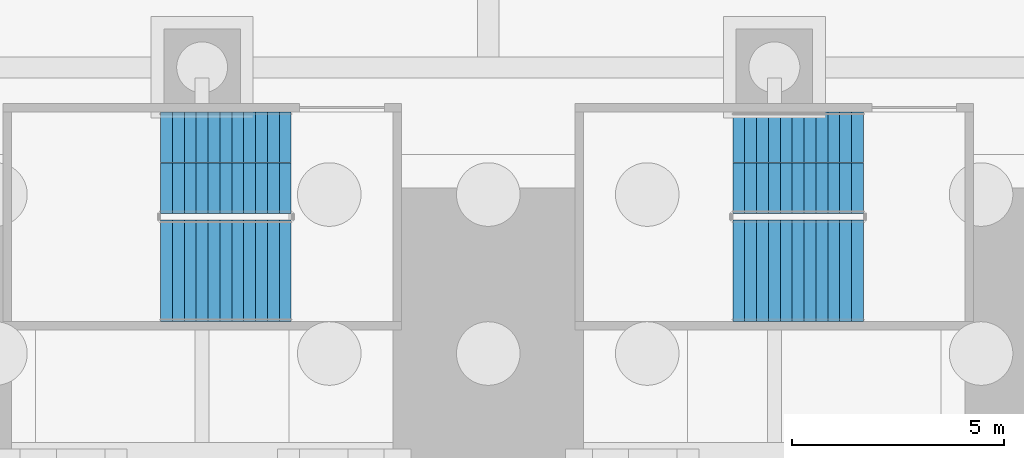
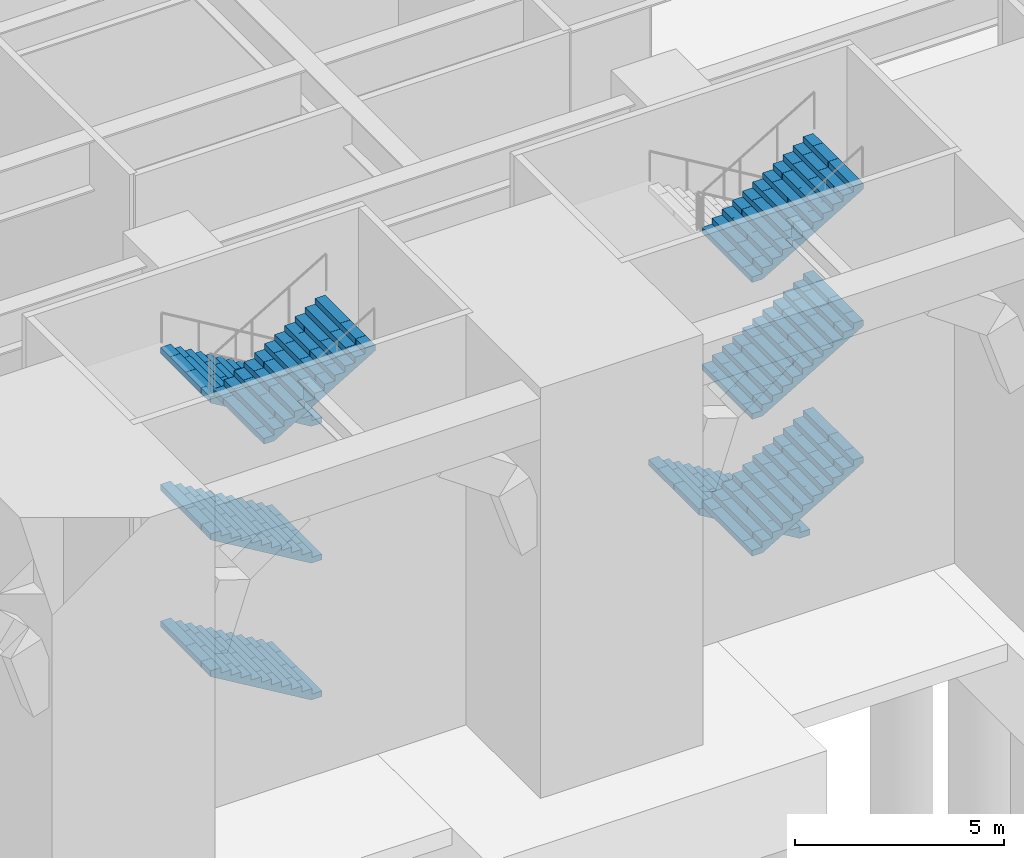
# One storey, part 15 of 34: 8 stair flights, 2 elements without a shape of their own.
"""IFC4 building model written with IfcOpenShell, lengths in metres."""

from ifc_helpers import new_model, si_unit, direction, frame, origin, place, context, subcontext, project, spatial, polyline, outline, extrude, material, type_object, element, aggregate, save


model = new_model("IFC4")

# Units and contexts
model_context = context("Model", 3, precision=1e-05, world=origin(), true_north=direction((0.0, 1.0)))
body_context = subcontext(model_context, "Body", "Model", "MODEL_VIEW")
ifc_project = project(units=[si_unit("LENGTHUNIT", "METRE"), si_unit("AREAUNIT", "SQUARE_METRE"), si_unit("VOLUMEUNIT", "CUBIC_METRE"), si_unit("PLANEANGLEUNIT", "RADIAN"), si_unit("MASSUNIT", "GRAM", prefix="KILO")], contexts=[model_context])

# Site, building, storey
site_placement = place(None, origin())
site = spatial("IfcSite", under=ifc_project, at=site_placement, CompositionType="ELEMENT")
building_placement = place(site_placement, origin())
building = spatial("IfcBuilding", under=site, at=building_placement, Name="Corbelhall Arena Tower", CompositionType="ELEMENT")
storey_placement = place(building_placement, origin())
storey = spatial("IfcBuildingStorey", under=building, at=storey_placement, Name="L00", CompositionType="ELEMENT", Elevation=0.0)

# Stair, stair flights
ifc_material = material(Name="Reinforced concrete C40/50", Category="concrete")
stair_type = type_object("IfcStairType", Name="AR-EXIT-STAIR", PredefinedType="HALF_TURN_STAIR", material=ifc_material)
stair_1_placement = place(storey_placement, origin())
stair_1 = element("IfcStair", 1, at=stair_1_placement, inside=storey, type_object=stair_type, Name="L00 exit stair AS14", PredefinedType="HALF_TURN_STAIR")
stair_flight_type = type_object("IfcStairFlightType", Name="AR-EXIT-FLIGHT", PredefinedType="STRAIGHT", material=ifc_material)
stair_flight_1_placement = place(storey_placement, frame((-4.64990234375, -31.5, 0.0), z_axis=(0.0, 0.0, 1.0), x_axis=(-1.0, 0.0, 0.0)))
stair_flight_1 = element("IfcStairFlight", 2, at=stair_flight_1_placement, type_object=stair_flight_type, Name="AS14 flight 1", NumberOfRisers=12, NumberOfTreads=11, PredefinedType="STRAIGHT", RiserHeight=0.166666667, TreadLength=0.28, context=body_context, shape_type="SweptSolid", body=[
    extrude(outline(polyline([(0.0, 0.0), (0.0, 0.166748046875), (0.280029296875, 0.166748046875), (0.280029296875, 0.333251953125), (0.56005859375, 0.333251953125), (0.56005859375, 0.5), (0.840087890625, 0.5), (0.840087890625, 0.666748046875), (1.1201171875, 0.666748046875), (1.1201171875, 0.833251953125), (1.39990234375, 0.833251953125), (1.39990234375, 1.0), (1.679931640625, 1.0), (1.679931640625, 1.166748046875), (1.9599609375, 1.166748046875), (1.9599609375, 1.333251953125), (2.239990234375, 1.333251953125), (2.239990234375, 1.5), (2.52001953125, 1.5), (2.52001953125, 1.666748046875), (2.800048828125, 1.666748046875), (2.800048828125, 1.833251953125), (3.080078125, 1.833251953125), (3.080078125, 2.0), (3.080078125, 1.658935546875), (0.29296875, 0.0), (0.0, 0.0)])), frame((0.0, 1.199951171875, 0.0), z_axis=(0.0, -1.0, 0.0), x_axis=(1.0, 0.0, 0.0)), (0.0, 0.0, 1.0), 0.449951171875),
    extrude(outline(polyline([(0.0, 0.0), (0.0, 0.166748046875), (0.280029296875, 0.166748046875), (0.280029296875, 0.333251953125), (0.56005859375, 0.333251953125), (0.56005859375, 0.5), (0.840087890625, 0.5), (0.840087890625, 0.666748046875), (1.1201171875, 0.666748046875), (1.1201171875, 0.833251953125), (1.39990234375, 0.833251953125), (1.39990234375, 1.0), (1.679931640625, 1.0), (1.679931640625, 1.166748046875), (1.9599609375, 1.166748046875), (1.9599609375, 1.333251953125), (2.239990234375, 1.333251953125), (2.239990234375, 1.5), (2.52001953125, 1.5), (2.52001953125, 1.666748046875), (2.800048828125, 1.666748046875), (2.800048828125, 1.833251953125), (3.080078125, 1.833251953125), (3.080078125, 2.0), (3.080078125, 1.658935546875), (0.29296875, 0.0), (0.0, 0.0)])), frame((0.0, 0.745849609375, 0.0), z_axis=(0.0, -1.0, 0.0), x_axis=(1.0, 0.0, 0.0)), (0.0, 0.0, 1.0), 0.743896484375),
    extrude(outline(polyline([(0.0, 0.0), (0.0, 0.166748046875), (0.280029296875, 0.166748046875), (0.280029296875, 0.333251953125), (0.56005859375, 0.333251953125), (0.56005859375, 0.5), (0.840087890625, 0.5), (0.840087890625, 0.666748046875), (1.1201171875, 0.666748046875), (1.1201171875, 0.833251953125), (1.39990234375, 0.833251953125), (1.39990234375, 1.0), (1.679931640625, 1.0), (1.679931640625, 1.166748046875), (1.9599609375, 1.166748046875), (1.9599609375, 1.333251953125), (2.239990234375, 1.333251953125), (2.239990234375, 1.5), (2.52001953125, 1.5), (2.52001953125, 1.666748046875), (2.800048828125, 1.666748046875), (2.800048828125, 1.833251953125), (3.080078125, 1.833251953125), (3.080078125, 2.0), (3.080078125, 1.658935546875), (0.29296875, 0.0), (0.0, 0.0)])), frame((0.0, -0.001953125, 0.0), z_axis=(0.0, -1.0, 0.0), x_axis=(1.0, 0.0, 0.0)), (0.0, 0.0, 1.0), 0.743896484375),
    extrude(outline(polyline([(0.0, 0.0), (0.0, 0.166748046875), (0.280029296875, 0.166748046875), (0.280029296875, 0.333251953125), (0.56005859375, 0.333251953125), (0.56005859375, 0.5), (0.840087890625, 0.5), (0.840087890625, 0.666748046875), (1.1201171875, 0.666748046875), (1.1201171875, 0.833251953125), (1.39990234375, 0.833251953125), (1.39990234375, 1.0), (1.679931640625, 1.0), (1.679931640625, 1.166748046875), (1.9599609375, 1.166748046875), (1.9599609375, 1.333251953125), (2.239990234375, 1.333251953125), (2.239990234375, 1.5), (2.52001953125, 1.5), (2.52001953125, 1.666748046875), (2.800048828125, 1.666748046875), (2.800048828125, 1.833251953125), (3.080078125, 1.833251953125), (3.080078125, 2.0), (3.080078125, 1.658935546875), (0.29296875, 0.0), (0.0, 0.0)])), frame((0.0, -0.75, 0.0), z_axis=(0.0, -1.0, 0.0), x_axis=(1.0, 0.0, 0.0)), (0.0, 0.0, 1.0), 0.449951171875),
])
stair_flight_2_placement = place(storey_placement, frame((-4.64990234375, -31.5, 4.0), z_axis=(0.0, 0.0, 1.0), x_axis=(-1.0, 0.0, 0.0)))
stair_flight_2 = element("IfcStairFlight", 3, at=stair_flight_2_placement, type_object=stair_flight_type, Name="AS14 flight 3", NumberOfRisers=12, NumberOfTreads=11, PredefinedType="STRAIGHT", RiserHeight=0.166666667, TreadLength=0.28, context=body_context, shape_type="SweptSolid", body=[
    extrude(outline(polyline([(0.0, 0.0), (0.0, 0.166748046875), (0.280029296875, 0.166748046875), (0.280029296875, 0.333251953125), (0.56005859375, 0.333251953125), (0.56005859375, 0.5), (0.840087890625, 0.5), (0.840087890625, 0.666748046875), (1.1201171875, 0.666748046875), (1.1201171875, 0.833251953125), (1.39990234375, 0.833251953125), (1.39990234375, 1.0), (1.679931640625, 1.0), (1.679931640625, 1.166748046875), (1.9599609375, 1.166748046875), (1.9599609375, 1.333251953125), (2.239990234375, 1.333251953125), (2.239990234375, 1.5), (2.52001953125, 1.5), (2.52001953125, 1.666748046875), (2.800048828125, 1.666748046875), (2.800048828125, 1.833251953125), (3.080078125, 1.833251953125), (3.080078125, 2.0), (3.080078125, 1.658935546875), (0.29296875, 0.0), (0.0, 0.0)])), frame((0.0, 1.199951171875, 0.0), z_axis=(0.0, -1.0, 0.0), x_axis=(1.0, 0.0, 0.0)), (0.0, 0.0, 1.0), 0.449951171875),
    extrude(outline(polyline([(0.0, 0.0), (0.0, 0.166748046875), (0.280029296875, 0.166748046875), (0.280029296875, 0.333251953125), (0.56005859375, 0.333251953125), (0.56005859375, 0.5), (0.840087890625, 0.5), (0.840087890625, 0.666748046875), (1.1201171875, 0.666748046875), (1.1201171875, 0.833251953125), (1.39990234375, 0.833251953125), (1.39990234375, 1.0), (1.679931640625, 1.0), (1.679931640625, 1.166748046875), (1.9599609375, 1.166748046875), (1.9599609375, 1.333251953125), (2.239990234375, 1.333251953125), (2.239990234375, 1.5), (2.52001953125, 1.5), (2.52001953125, 1.666748046875), (2.800048828125, 1.666748046875), (2.800048828125, 1.833251953125), (3.080078125, 1.833251953125), (3.080078125, 2.0), (3.080078125, 1.658935546875), (0.29296875, 0.0), (0.0, 0.0)])), frame((0.0, 0.745849609375, 0.0), z_axis=(0.0, -1.0, 0.0), x_axis=(1.0, 0.0, 0.0)), (0.0, 0.0, 1.0), 0.743896484375),
    extrude(outline(polyline([(0.0, 0.0), (0.0, 0.166748046875), (0.280029296875, 0.166748046875), (0.280029296875, 0.333251953125), (0.56005859375, 0.333251953125), (0.56005859375, 0.5), (0.840087890625, 0.5), (0.840087890625, 0.666748046875), (1.1201171875, 0.666748046875), (1.1201171875, 0.833251953125), (1.39990234375, 0.833251953125), (1.39990234375, 1.0), (1.679931640625, 1.0), (1.679931640625, 1.166748046875), (1.9599609375, 1.166748046875), (1.9599609375, 1.333251953125), (2.239990234375, 1.333251953125), (2.239990234375, 1.5), (2.52001953125, 1.5), (2.52001953125, 1.666748046875), (2.800048828125, 1.666748046875), (2.800048828125, 1.833251953125), (3.080078125, 1.833251953125), (3.080078125, 2.0), (3.080078125, 1.658935546875), (0.29296875, 0.0), (0.0, 0.0)])), frame((0.0, -0.001953125, 0.0), z_axis=(0.0, -1.0, 0.0), x_axis=(1.0, 0.0, 0.0)), (0.0, 0.0, 1.0), 0.743896484375),
    extrude(outline(polyline([(0.0, 0.0), (0.0, 0.166748046875), (0.280029296875, 0.166748046875), (0.280029296875, 0.333251953125), (0.56005859375, 0.333251953125), (0.56005859375, 0.5), (0.840087890625, 0.5), (0.840087890625, 0.666748046875), (1.1201171875, 0.666748046875), (1.1201171875, 0.833251953125), (1.39990234375, 0.833251953125), (1.39990234375, 1.0), (1.679931640625, 1.0), (1.679931640625, 1.166748046875), (1.9599609375, 1.166748046875), (1.9599609375, 1.333251953125), (2.239990234375, 1.333251953125), (2.239990234375, 1.5), (2.52001953125, 1.5), (2.52001953125, 1.666748046875), (2.800048828125, 1.666748046875), (2.800048828125, 1.833251953125), (3.080078125, 1.833251953125), (3.080078125, 2.0), (3.080078125, 1.658935546875), (0.29296875, 0.0), (0.0, 0.0)])), frame((0.0, -0.75, 0.0), z_axis=(0.0, -1.0, 0.0), x_axis=(1.0, 0.0, 0.0)), (0.0, 0.0, 1.0), 0.449951171875),
])
stair_flight_3_placement = place(storey_placement, frame((-4.64990234375, -31.5, 8.0), z_axis=(0.0, 0.0, 1.0), x_axis=(-1.0, 0.0, 0.0)))
stair_flight_3 = element("IfcStairFlight", 4, at=stair_flight_3_placement, type_object=stair_flight_type, Name="AS14 flight 5", NumberOfRisers=12, NumberOfTreads=11, PredefinedType="STRAIGHT", RiserHeight=0.166666667, TreadLength=0.28, context=body_context, shape_type="SweptSolid", body=[
    extrude(outline(polyline([(0.0, 0.0), (0.0, 0.166748046875), (0.280029296875, 0.166748046875), (0.280029296875, 0.333251953125), (0.56005859375, 0.333251953125), (0.56005859375, 0.5), (0.840087890625, 0.5), (0.840087890625, 0.666748046875), (1.1201171875, 0.666748046875), (1.1201171875, 0.833251953125), (1.39990234375, 0.833251953125), (1.39990234375, 1.0), (1.679931640625, 1.0), (1.679931640625, 1.166748046875), (1.9599609375, 1.166748046875), (1.9599609375, 1.333251953125), (2.239990234375, 1.333251953125), (2.239990234375, 1.5), (2.52001953125, 1.5), (2.52001953125, 1.666748046875), (2.800048828125, 1.666748046875), (2.800048828125, 1.833251953125), (3.080078125, 1.833251953125), (3.080078125, 2.0), (3.080078125, 1.658935546875), (0.29296875, 0.0), (0.0, 0.0)])), frame((0.0, 1.199951171875, 0.0), z_axis=(0.0, -1.0, 0.0), x_axis=(1.0, 0.0, 0.0)), (0.0, 0.0, 1.0), 0.449951171875),
    extrude(outline(polyline([(0.0, 0.0), (0.0, 0.166748046875), (0.280029296875, 0.166748046875), (0.280029296875, 0.333251953125), (0.56005859375, 0.333251953125), (0.56005859375, 0.5), (0.840087890625, 0.5), (0.840087890625, 0.666748046875), (1.1201171875, 0.666748046875), (1.1201171875, 0.833251953125), (1.39990234375, 0.833251953125), (1.39990234375, 1.0), (1.679931640625, 1.0), (1.679931640625, 1.166748046875), (1.9599609375, 1.166748046875), (1.9599609375, 1.333251953125), (2.239990234375, 1.333251953125), (2.239990234375, 1.5), (2.52001953125, 1.5), (2.52001953125, 1.666748046875), (2.800048828125, 1.666748046875), (2.800048828125, 1.833251953125), (3.080078125, 1.833251953125), (3.080078125, 2.0), (3.080078125, 1.658935546875), (0.29296875, 0.0), (0.0, 0.0)])), frame((0.0, 0.745849609375, 0.0), z_axis=(0.0, -1.0, 0.0), x_axis=(1.0, 0.0, 0.0)), (0.0, 0.0, 1.0), 0.743896484375),
    extrude(outline(polyline([(0.0, 0.0), (0.0, 0.166748046875), (0.280029296875, 0.166748046875), (0.280029296875, 0.333251953125), (0.56005859375, 0.333251953125), (0.56005859375, 0.5), (0.840087890625, 0.5), (0.840087890625, 0.666748046875), (1.1201171875, 0.666748046875), (1.1201171875, 0.833251953125), (1.39990234375, 0.833251953125), (1.39990234375, 1.0), (1.679931640625, 1.0), (1.679931640625, 1.166748046875), (1.9599609375, 1.166748046875), (1.9599609375, 1.333251953125), (2.239990234375, 1.333251953125), (2.239990234375, 1.5), (2.52001953125, 1.5), (2.52001953125, 1.666748046875), (2.800048828125, 1.666748046875), (2.800048828125, 1.833251953125), (3.080078125, 1.833251953125), (3.080078125, 2.0), (3.080078125, 1.658935546875), (0.29296875, 0.0), (0.0, 0.0)])), frame((0.0, -0.001953125, 0.0), z_axis=(0.0, -1.0, 0.0), x_axis=(1.0, 0.0, 0.0)), (0.0, 0.0, 1.0), 0.743896484375),
    extrude(outline(polyline([(0.0, 0.0), (0.0, 0.166748046875), (0.280029296875, 0.166748046875), (0.280029296875, 0.333251953125), (0.56005859375, 0.333251953125), (0.56005859375, 0.5), (0.840087890625, 0.5), (0.840087890625, 0.666748046875), (1.1201171875, 0.666748046875), (1.1201171875, 0.833251953125), (1.39990234375, 0.833251953125), (1.39990234375, 1.0), (1.679931640625, 1.0), (1.679931640625, 1.166748046875), (1.9599609375, 1.166748046875), (1.9599609375, 1.333251953125), (2.239990234375, 1.333251953125), (2.239990234375, 1.5), (2.52001953125, 1.5), (2.52001953125, 1.666748046875), (2.800048828125, 1.666748046875), (2.800048828125, 1.833251953125), (3.080078125, 1.833251953125), (3.080078125, 2.0), (3.080078125, 1.658935546875), (0.29296875, 0.0), (0.0, 0.0)])), frame((0.0, -0.75, 0.0), z_axis=(0.0, -1.0, 0.0), x_axis=(1.0, 0.0, 0.0)), (0.0, 0.0, 1.0), 0.449951171875),
])
stair_flight_4_placement = place(storey_placement, frame((-7.72998046875, -34.050048828125, 10.0), z_axis=(0.0, 0.0, 1.0), x_axis=(1.0, 0.0, 0.0)))
stair_flight_4 = element("IfcStairFlight", 5, at=stair_flight_4_placement, type_object=stair_flight_type, Name="AS14 flight 6", NumberOfRisers=12, NumberOfTreads=11, PredefinedType="STRAIGHT", RiserHeight=0.166666667, TreadLength=0.28, context=body_context, shape_type="SweptSolid", body=[
    extrude(outline(polyline([(0.0, 0.0), (0.0, 0.166748046875), (0.280029296875, 0.166748046875), (0.280029296875, 0.333251953125), (0.56005859375, 0.333251953125), (0.56005859375, 0.5), (0.840087890625, 0.5), (0.840087890625, 0.666748046875), (1.1201171875, 0.666748046875), (1.1201171875, 0.833251953125), (1.39990234375, 0.833251953125), (1.39990234375, 1.0), (1.679931640625, 1.0), (1.679931640625, 1.166748046875), (1.9599609375, 1.166748046875), (1.9599609375, 1.333251953125), (2.239990234375, 1.333251953125), (2.239990234375, 1.5), (2.52001953125, 1.5), (2.52001953125, 1.666748046875), (2.800048828125, 1.666748046875), (2.800048828125, 1.833251953125), (3.080078125, 1.833251953125), (3.080078125, 2.0), (3.080078125, 1.658935546875), (0.29296875, 0.0), (0.0, 0.0)])), frame((0.0, 1.199951171875, 0.0), z_axis=(0.0, -1.0, 0.0), x_axis=(1.0, 0.0, 0.0)), (0.0, 0.0, 1.0), 0.449951171875),
    extrude(outline(polyline([(0.0, 0.0), (0.0, 0.166748046875), (0.280029296875, 0.166748046875), (0.280029296875, 0.333251953125), (0.56005859375, 0.333251953125), (0.56005859375, 0.5), (0.840087890625, 0.5), (0.840087890625, 0.666748046875), (1.1201171875, 0.666748046875), (1.1201171875, 0.833251953125), (1.39990234375, 0.833251953125), (1.39990234375, 1.0), (1.679931640625, 1.0), (1.679931640625, 1.166748046875), (1.9599609375, 1.166748046875), (1.9599609375, 1.333251953125), (2.239990234375, 1.333251953125), (2.239990234375, 1.5), (2.52001953125, 1.5), (2.52001953125, 1.666748046875), (2.800048828125, 1.666748046875), (2.800048828125, 1.833251953125), (3.080078125, 1.833251953125), (3.080078125, 2.0), (3.080078125, 1.658935546875), (0.29296875, 0.0), (0.0, 0.0)])), frame((0.0, 0.745849609375, 0.0), z_axis=(0.0, -1.0, 0.0), x_axis=(1.0, 0.0, 0.0)), (0.0, 0.0, 1.0), 0.743896484375),
    extrude(outline(polyline([(0.0, 0.0), (0.0, 0.166748046875), (0.280029296875, 0.166748046875), (0.280029296875, 0.333251953125), (0.56005859375, 0.333251953125), (0.56005859375, 0.5), (0.840087890625, 0.5), (0.840087890625, 0.666748046875), (1.1201171875, 0.666748046875), (1.1201171875, 0.833251953125), (1.39990234375, 0.833251953125), (1.39990234375, 1.0), (1.679931640625, 1.0), (1.679931640625, 1.166748046875), (1.9599609375, 1.166748046875), (1.9599609375, 1.333251953125), (2.239990234375, 1.333251953125), (2.239990234375, 1.5), (2.52001953125, 1.5), (2.52001953125, 1.666748046875), (2.800048828125, 1.666748046875), (2.800048828125, 1.833251953125), (3.080078125, 1.833251953125), (3.080078125, 2.0), (3.080078125, 1.658935546875), (0.29296875, 0.0), (0.0, 0.0)])), frame((0.0, -0.001953125, 0.0), z_axis=(0.0, -1.0, 0.0), x_axis=(1.0, 0.0, 0.0)), (0.0, 0.0, 1.0), 0.743896484375),
    extrude(outline(polyline([(0.0, 0.0), (0.0, 0.166748046875), (0.280029296875, 0.166748046875), (0.280029296875, 0.333251953125), (0.56005859375, 0.333251953125), (0.56005859375, 0.5), (0.840087890625, 0.5), (0.840087890625, 0.666748046875), (1.1201171875, 0.666748046875), (1.1201171875, 0.833251953125), (1.39990234375, 0.833251953125), (1.39990234375, 1.0), (1.679931640625, 1.0), (1.679931640625, 1.166748046875), (1.9599609375, 1.166748046875), (1.9599609375, 1.333251953125), (2.239990234375, 1.333251953125), (2.239990234375, 1.5), (2.52001953125, 1.5), (2.52001953125, 1.666748046875), (2.800048828125, 1.666748046875), (2.800048828125, 1.833251953125), (3.080078125, 1.833251953125), (3.080078125, 2.0), (3.080078125, 1.658935546875), (0.29296875, 0.0), (0.0, 0.0)])), frame((0.0, -0.75, 0.0), z_axis=(0.0, -1.0, 0.0), x_axis=(1.0, 0.0, 0.0)), (0.0, 0.0, 1.0), 0.449951171875),
])
aggregate(stair_1, [stair_flight_1, stair_flight_2, stair_flight_3, stair_flight_4])

stair_2_placement = place(storey_placement, origin())
stair_2 = element("IfcStair", 6, at=stair_2_placement, inside=storey, type_object=stair_type, Name="L00 exit stair AS15", PredefinedType="HALF_TURN_STAIR")
stair_flight_5_placement = place(storey_placement, frame((8.85009765625, -31.5, 0.0), z_axis=(0.0, 0.0, 1.0), x_axis=(-1.0, 0.0, 0.0)))
stair_flight_5 = element("IfcStairFlight", 7, at=stair_flight_5_placement, type_object=stair_flight_type, Name="AS15 flight 1", NumberOfRisers=12, NumberOfTreads=11, PredefinedType="STRAIGHT", RiserHeight=0.166666667, TreadLength=0.28, context=body_context, shape_type="SweptSolid", body=[
    extrude(outline(polyline([(0.0, 0.0), (0.0, 0.166748046875), (0.280029296875, 0.166748046875), (0.280029296875, 0.333251953125), (0.56005859375, 0.333251953125), (0.56005859375, 0.5), (0.840087890625, 0.5), (0.840087890625, 0.666748046875), (1.1201171875, 0.666748046875), (1.1201171875, 0.833251953125), (1.39990234375, 0.833251953125), (1.39990234375, 1.0), (1.679931640625, 1.0), (1.679931640625, 1.166748046875), (1.9599609375, 1.166748046875), (1.9599609375, 1.333251953125), (2.239990234375, 1.333251953125), (2.239990234375, 1.5), (2.52001953125, 1.5), (2.52001953125, 1.666748046875), (2.800048828125, 1.666748046875), (2.800048828125, 1.833251953125), (3.080078125, 1.833251953125), (3.080078125, 2.0), (3.080078125, 1.658935546875), (0.29296875, 0.0), (0.0, 0.0)])), frame((0.0, 1.199951171875, 0.0), z_axis=(0.0, -1.0, 0.0), x_axis=(1.0, 0.0, 0.0)), (0.0, 0.0, 1.0), 0.449951171875),
    extrude(outline(polyline([(0.0, 0.0), (0.0, 0.166748046875), (0.280029296875, 0.166748046875), (0.280029296875, 0.333251953125), (0.56005859375, 0.333251953125), (0.56005859375, 0.5), (0.840087890625, 0.5), (0.840087890625, 0.666748046875), (1.1201171875, 0.666748046875), (1.1201171875, 0.833251953125), (1.39990234375, 0.833251953125), (1.39990234375, 1.0), (1.679931640625, 1.0), (1.679931640625, 1.166748046875), (1.9599609375, 1.166748046875), (1.9599609375, 1.333251953125), (2.239990234375, 1.333251953125), (2.239990234375, 1.5), (2.52001953125, 1.5), (2.52001953125, 1.666748046875), (2.800048828125, 1.666748046875), (2.800048828125, 1.833251953125), (3.080078125, 1.833251953125), (3.080078125, 2.0), (3.080078125, 1.658935546875), (0.29296875, 0.0), (0.0, 0.0)])), frame((0.0, 0.745849609375, 0.0), z_axis=(0.0, -1.0, 0.0), x_axis=(1.0, 0.0, 0.0)), (0.0, 0.0, 1.0), 0.743896484375),
    extrude(outline(polyline([(0.0, 0.0), (0.0, 0.166748046875), (0.280029296875, 0.166748046875), (0.280029296875, 0.333251953125), (0.56005859375, 0.333251953125), (0.56005859375, 0.5), (0.840087890625, 0.5), (0.840087890625, 0.666748046875), (1.1201171875, 0.666748046875), (1.1201171875, 0.833251953125), (1.39990234375, 0.833251953125), (1.39990234375, 1.0), (1.679931640625, 1.0), (1.679931640625, 1.166748046875), (1.9599609375, 1.166748046875), (1.9599609375, 1.333251953125), (2.239990234375, 1.333251953125), (2.239990234375, 1.5), (2.52001953125, 1.5), (2.52001953125, 1.666748046875), (2.800048828125, 1.666748046875), (2.800048828125, 1.833251953125), (3.080078125, 1.833251953125), (3.080078125, 2.0), (3.080078125, 1.658935546875), (0.29296875, 0.0), (0.0, 0.0)])), frame((0.0, -0.001953125, 0.0), z_axis=(0.0, -1.0, 0.0), x_axis=(1.0, 0.0, 0.0)), (0.0, 0.0, 1.0), 0.743896484375),
    extrude(outline(polyline([(0.0, 0.0), (0.0, 0.166748046875), (0.280029296875, 0.166748046875), (0.280029296875, 0.333251953125), (0.56005859375, 0.333251953125), (0.56005859375, 0.5), (0.840087890625, 0.5), (0.840087890625, 0.666748046875), (1.1201171875, 0.666748046875), (1.1201171875, 0.833251953125), (1.39990234375, 0.833251953125), (1.39990234375, 1.0), (1.679931640625, 1.0), (1.679931640625, 1.166748046875), (1.9599609375, 1.166748046875), (1.9599609375, 1.333251953125), (2.239990234375, 1.333251953125), (2.239990234375, 1.5), (2.52001953125, 1.5), (2.52001953125, 1.666748046875), (2.800048828125, 1.666748046875), (2.800048828125, 1.833251953125), (3.080078125, 1.833251953125), (3.080078125, 2.0), (3.080078125, 1.658935546875), (0.29296875, 0.0), (0.0, 0.0)])), frame((0.0, -0.75, 0.0), z_axis=(0.0, -1.0, 0.0), x_axis=(1.0, 0.0, 0.0)), (0.0, 0.0, 1.0), 0.449951171875),
])
stair_flight_6_placement = place(storey_placement, frame((5.77001953125, -34.050048828125, 2.0), z_axis=(0.0, 0.0, 1.0), x_axis=(1.0, 0.0, 0.0)))
stair_flight_6 = element("IfcStairFlight", 8, at=stair_flight_6_placement, type_object=stair_flight_type, Name="AS15 flight 2", NumberOfRisers=12, NumberOfTreads=11, PredefinedType="STRAIGHT", RiserHeight=0.166666667, TreadLength=0.28, context=body_context, shape_type="SweptSolid", body=[
    extrude(outline(polyline([(0.0, 0.0), (0.0, 0.166748046875), (0.280029296875, 0.166748046875), (0.280029296875, 0.333251953125), (0.56005859375, 0.333251953125), (0.56005859375, 0.5), (0.840087890625, 0.5), (0.840087890625, 0.666748046875), (1.1201171875, 0.666748046875), (1.1201171875, 0.833251953125), (1.39990234375, 0.833251953125), (1.39990234375, 1.0), (1.679931640625, 1.0), (1.679931640625, 1.166748046875), (1.9599609375, 1.166748046875), (1.9599609375, 1.333251953125), (2.239990234375, 1.333251953125), (2.239990234375, 1.5), (2.52001953125, 1.5), (2.52001953125, 1.666748046875), (2.800048828125, 1.666748046875), (2.800048828125, 1.833251953125), (3.080078125, 1.833251953125), (3.080078125, 2.0), (3.080078125, 1.658935546875), (0.29296875, 0.0), (0.0, 0.0)])), frame((0.0, 1.199951171875, 0.0), z_axis=(0.0, -1.0, 0.0), x_axis=(1.0, 0.0, 0.0)), (0.0, 0.0, 1.0), 0.449951171875),
    extrude(outline(polyline([(0.0, 0.0), (0.0, 0.166748046875), (0.280029296875, 0.166748046875), (0.280029296875, 0.333251953125), (0.56005859375, 0.333251953125), (0.56005859375, 0.5), (0.840087890625, 0.5), (0.840087890625, 0.666748046875), (1.1201171875, 0.666748046875), (1.1201171875, 0.833251953125), (1.39990234375, 0.833251953125), (1.39990234375, 1.0), (1.679931640625, 1.0), (1.679931640625, 1.166748046875), (1.9599609375, 1.166748046875), (1.9599609375, 1.333251953125), (2.239990234375, 1.333251953125), (2.239990234375, 1.5), (2.52001953125, 1.5), (2.52001953125, 1.666748046875), (2.800048828125, 1.666748046875), (2.800048828125, 1.833251953125), (3.080078125, 1.833251953125), (3.080078125, 2.0), (3.080078125, 1.658935546875), (0.29296875, 0.0), (0.0, 0.0)])), frame((0.0, 0.745849609375, 0.0), z_axis=(0.0, -1.0, 0.0), x_axis=(1.0, 0.0, 0.0)), (0.0, 0.0, 1.0), 0.743896484375),
    extrude(outline(polyline([(0.0, 0.0), (0.0, 0.166748046875), (0.280029296875, 0.166748046875), (0.280029296875, 0.333251953125), (0.56005859375, 0.333251953125), (0.56005859375, 0.5), (0.840087890625, 0.5), (0.840087890625, 0.666748046875), (1.1201171875, 0.666748046875), (1.1201171875, 0.833251953125), (1.39990234375, 0.833251953125), (1.39990234375, 1.0), (1.679931640625, 1.0), (1.679931640625, 1.166748046875), (1.9599609375, 1.166748046875), (1.9599609375, 1.333251953125), (2.239990234375, 1.333251953125), (2.239990234375, 1.5), (2.52001953125, 1.5), (2.52001953125, 1.666748046875), (2.800048828125, 1.666748046875), (2.800048828125, 1.833251953125), (3.080078125, 1.833251953125), (3.080078125, 2.0), (3.080078125, 1.658935546875), (0.29296875, 0.0), (0.0, 0.0)])), frame((0.0, -0.001953125, 0.0), z_axis=(0.0, -1.0, 0.0), x_axis=(1.0, 0.0, 0.0)), (0.0, 0.0, 1.0), 0.743896484375),
    extrude(outline(polyline([(0.0, 0.0), (0.0, 0.166748046875), (0.280029296875, 0.166748046875), (0.280029296875, 0.333251953125), (0.56005859375, 0.333251953125), (0.56005859375, 0.5), (0.840087890625, 0.5), (0.840087890625, 0.666748046875), (1.1201171875, 0.666748046875), (1.1201171875, 0.833251953125), (1.39990234375, 0.833251953125), (1.39990234375, 1.0), (1.679931640625, 1.0), (1.679931640625, 1.166748046875), (1.9599609375, 1.166748046875), (1.9599609375, 1.333251953125), (2.239990234375, 1.333251953125), (2.239990234375, 1.5), (2.52001953125, 1.5), (2.52001953125, 1.666748046875), (2.800048828125, 1.666748046875), (2.800048828125, 1.833251953125), (3.080078125, 1.833251953125), (3.080078125, 2.0), (3.080078125, 1.658935546875), (0.29296875, 0.0), (0.0, 0.0)])), frame((0.0, -0.75, 0.0), z_axis=(0.0, -1.0, 0.0), x_axis=(1.0, 0.0, 0.0)), (0.0, 0.0, 1.0), 0.449951171875),
])
stair_flight_7_placement = place(storey_placement, frame((5.77001953125, -34.050048828125, 6.0), z_axis=(0.0, 0.0, 1.0), x_axis=(1.0, 0.0, 0.0)))
stair_flight_7 = element("IfcStairFlight", 9, at=stair_flight_7_placement, type_object=stair_flight_type, Name="AS15 flight 4", NumberOfRisers=12, NumberOfTreads=11, PredefinedType="STRAIGHT", RiserHeight=0.166666667, TreadLength=0.28, context=body_context, shape_type="SweptSolid", body=[
    extrude(outline(polyline([(0.0, 0.0), (0.0, 0.166748046875), (0.280029296875, 0.166748046875), (0.280029296875, 0.333251953125), (0.56005859375, 0.333251953125), (0.56005859375, 0.5), (0.840087890625, 0.5), (0.840087890625, 0.666748046875), (1.1201171875, 0.666748046875), (1.1201171875, 0.833251953125), (1.39990234375, 0.833251953125), (1.39990234375, 1.0), (1.679931640625, 1.0), (1.679931640625, 1.166748046875), (1.9599609375, 1.166748046875), (1.9599609375, 1.333251953125), (2.239990234375, 1.333251953125), (2.239990234375, 1.5), (2.52001953125, 1.5), (2.52001953125, 1.666748046875), (2.800048828125, 1.666748046875), (2.800048828125, 1.833251953125), (3.080078125, 1.833251953125), (3.080078125, 2.0), (3.080078125, 1.658935546875), (0.29296875, 0.0), (0.0, 0.0)])), frame((0.0, 1.199951171875, 0.0), z_axis=(0.0, -1.0, 0.0), x_axis=(1.0, 0.0, 0.0)), (0.0, 0.0, 1.0), 0.449951171875),
    extrude(outline(polyline([(0.0, 0.0), (0.0, 0.166748046875), (0.280029296875, 0.166748046875), (0.280029296875, 0.333251953125), (0.56005859375, 0.333251953125), (0.56005859375, 0.5), (0.840087890625, 0.5), (0.840087890625, 0.666748046875), (1.1201171875, 0.666748046875), (1.1201171875, 0.833251953125), (1.39990234375, 0.833251953125), (1.39990234375, 1.0), (1.679931640625, 1.0), (1.679931640625, 1.166748046875), (1.9599609375, 1.166748046875), (1.9599609375, 1.333251953125), (2.239990234375, 1.333251953125), (2.239990234375, 1.5), (2.52001953125, 1.5), (2.52001953125, 1.666748046875), (2.800048828125, 1.666748046875), (2.800048828125, 1.833251953125), (3.080078125, 1.833251953125), (3.080078125, 2.0), (3.080078125, 1.658935546875), (0.29296875, 0.0), (0.0, 0.0)])), frame((0.0, 0.745849609375, 0.0), z_axis=(0.0, -1.0, 0.0), x_axis=(1.0, 0.0, 0.0)), (0.0, 0.0, 1.0), 0.743896484375),
    extrude(outline(polyline([(0.0, 0.0), (0.0, 0.166748046875), (0.280029296875, 0.166748046875), (0.280029296875, 0.333251953125), (0.56005859375, 0.333251953125), (0.56005859375, 0.5), (0.840087890625, 0.5), (0.840087890625, 0.666748046875), (1.1201171875, 0.666748046875), (1.1201171875, 0.833251953125), (1.39990234375, 0.833251953125), (1.39990234375, 1.0), (1.679931640625, 1.0), (1.679931640625, 1.166748046875), (1.9599609375, 1.166748046875), (1.9599609375, 1.333251953125), (2.239990234375, 1.333251953125), (2.239990234375, 1.5), (2.52001953125, 1.5), (2.52001953125, 1.666748046875), (2.800048828125, 1.666748046875), (2.800048828125, 1.833251953125), (3.080078125, 1.833251953125), (3.080078125, 2.0), (3.080078125, 1.658935546875), (0.29296875, 0.0), (0.0, 0.0)])), frame((0.0, -0.001953125, 0.0), z_axis=(0.0, -1.0, 0.0), x_axis=(1.0, 0.0, 0.0)), (0.0, 0.0, 1.0), 0.743896484375),
    extrude(outline(polyline([(0.0, 0.0), (0.0, 0.166748046875), (0.280029296875, 0.166748046875), (0.280029296875, 0.333251953125), (0.56005859375, 0.333251953125), (0.56005859375, 0.5), (0.840087890625, 0.5), (0.840087890625, 0.666748046875), (1.1201171875, 0.666748046875), (1.1201171875, 0.833251953125), (1.39990234375, 0.833251953125), (1.39990234375, 1.0), (1.679931640625, 1.0), (1.679931640625, 1.166748046875), (1.9599609375, 1.166748046875), (1.9599609375, 1.333251953125), (2.239990234375, 1.333251953125), (2.239990234375, 1.5), (2.52001953125, 1.5), (2.52001953125, 1.666748046875), (2.800048828125, 1.666748046875), (2.800048828125, 1.833251953125), (3.080078125, 1.833251953125), (3.080078125, 2.0), (3.080078125, 1.658935546875), (0.29296875, 0.0), (0.0, 0.0)])), frame((0.0, -0.75, 0.0), z_axis=(0.0, -1.0, 0.0), x_axis=(1.0, 0.0, 0.0)), (0.0, 0.0, 1.0), 0.449951171875),
])
stair_flight_8_placement = place(storey_placement, frame((5.77001953125, -34.050048828125, 10.0), z_axis=(0.0, 0.0, 1.0), x_axis=(1.0, 0.0, 0.0)))
stair_flight_8 = element("IfcStairFlight", 10, at=stair_flight_8_placement, type_object=stair_flight_type, Name="AS15 flight 6", NumberOfRisers=12, NumberOfTreads=11, PredefinedType="STRAIGHT", RiserHeight=0.166666667, TreadLength=0.28, context=body_context, shape_type="SweptSolid", body=[
    extrude(outline(polyline([(0.0, 0.0), (0.0, 0.166748046875), (0.280029296875, 0.166748046875), (0.280029296875, 0.333251953125), (0.56005859375, 0.333251953125), (0.56005859375, 0.5), (0.840087890625, 0.5), (0.840087890625, 0.666748046875), (1.1201171875, 0.666748046875), (1.1201171875, 0.833251953125), (1.39990234375, 0.833251953125), (1.39990234375, 1.0), (1.679931640625, 1.0), (1.679931640625, 1.166748046875), (1.9599609375, 1.166748046875), (1.9599609375, 1.333251953125), (2.239990234375, 1.333251953125), (2.239990234375, 1.5), (2.52001953125, 1.5), (2.52001953125, 1.666748046875), (2.800048828125, 1.666748046875), (2.800048828125, 1.833251953125), (3.080078125, 1.833251953125), (3.080078125, 2.0), (3.080078125, 1.658935546875), (0.29296875, 0.0), (0.0, 0.0)])), frame((0.0, 1.199951171875, 0.0), z_axis=(0.0, -1.0, 0.0), x_axis=(1.0, 0.0, 0.0)), (0.0, 0.0, 1.0), 0.449951171875),
    extrude(outline(polyline([(0.0, 0.0), (0.0, 0.166748046875), (0.280029296875, 0.166748046875), (0.280029296875, 0.333251953125), (0.56005859375, 0.333251953125), (0.56005859375, 0.5), (0.840087890625, 0.5), (0.840087890625, 0.666748046875), (1.1201171875, 0.666748046875), (1.1201171875, 0.833251953125), (1.39990234375, 0.833251953125), (1.39990234375, 1.0), (1.679931640625, 1.0), (1.679931640625, 1.166748046875), (1.9599609375, 1.166748046875), (1.9599609375, 1.333251953125), (2.239990234375, 1.333251953125), (2.239990234375, 1.5), (2.52001953125, 1.5), (2.52001953125, 1.666748046875), (2.800048828125, 1.666748046875), (2.800048828125, 1.833251953125), (3.080078125, 1.833251953125), (3.080078125, 2.0), (3.080078125, 1.658935546875), (0.29296875, 0.0), (0.0, 0.0)])), frame((0.0, 0.745849609375, 0.0), z_axis=(0.0, -1.0, 0.0), x_axis=(1.0, 0.0, 0.0)), (0.0, 0.0, 1.0), 0.743896484375),
    extrude(outline(polyline([(0.0, 0.0), (0.0, 0.166748046875), (0.280029296875, 0.166748046875), (0.280029296875, 0.333251953125), (0.56005859375, 0.333251953125), (0.56005859375, 0.5), (0.840087890625, 0.5), (0.840087890625, 0.666748046875), (1.1201171875, 0.666748046875), (1.1201171875, 0.833251953125), (1.39990234375, 0.833251953125), (1.39990234375, 1.0), (1.679931640625, 1.0), (1.679931640625, 1.166748046875), (1.9599609375, 1.166748046875), (1.9599609375, 1.333251953125), (2.239990234375, 1.333251953125), (2.239990234375, 1.5), (2.52001953125, 1.5), (2.52001953125, 1.666748046875), (2.800048828125, 1.666748046875), (2.800048828125, 1.833251953125), (3.080078125, 1.833251953125), (3.080078125, 2.0), (3.080078125, 1.658935546875), (0.29296875, 0.0), (0.0, 0.0)])), frame((0.0, -0.001953125, 0.0), z_axis=(0.0, -1.0, 0.0), x_axis=(1.0, 0.0, 0.0)), (0.0, 0.0, 1.0), 0.743896484375),
    extrude(outline(polyline([(0.0, 0.0), (0.0, 0.166748046875), (0.280029296875, 0.166748046875), (0.280029296875, 0.333251953125), (0.56005859375, 0.333251953125), (0.56005859375, 0.5), (0.840087890625, 0.5), (0.840087890625, 0.666748046875), (1.1201171875, 0.666748046875), (1.1201171875, 0.833251953125), (1.39990234375, 0.833251953125), (1.39990234375, 1.0), (1.679931640625, 1.0), (1.679931640625, 1.166748046875), (1.9599609375, 1.166748046875), (1.9599609375, 1.333251953125), (2.239990234375, 1.333251953125), (2.239990234375, 1.5), (2.52001953125, 1.5), (2.52001953125, 1.666748046875), (2.800048828125, 1.666748046875), (2.800048828125, 1.833251953125), (3.080078125, 1.833251953125), (3.080078125, 2.0), (3.080078125, 1.658935546875), (0.29296875, 0.0), (0.0, 0.0)])), frame((0.0, -0.75, 0.0), z_axis=(0.0, -1.0, 0.0), x_axis=(1.0, 0.0, 0.0)), (0.0, 0.0, 1.0), 0.449951171875),
])
aggregate(stair_2, [stair_flight_5, stair_flight_6, stair_flight_7, stair_flight_8])

save(model, "model.ifc")
